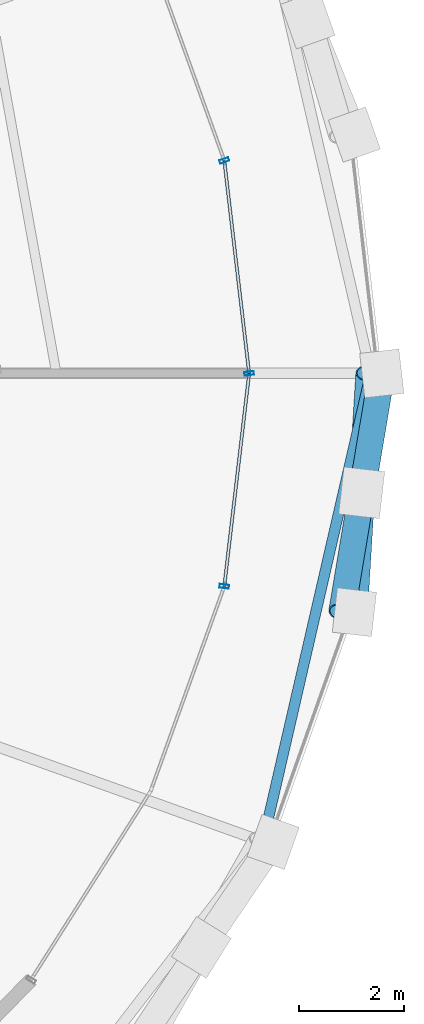
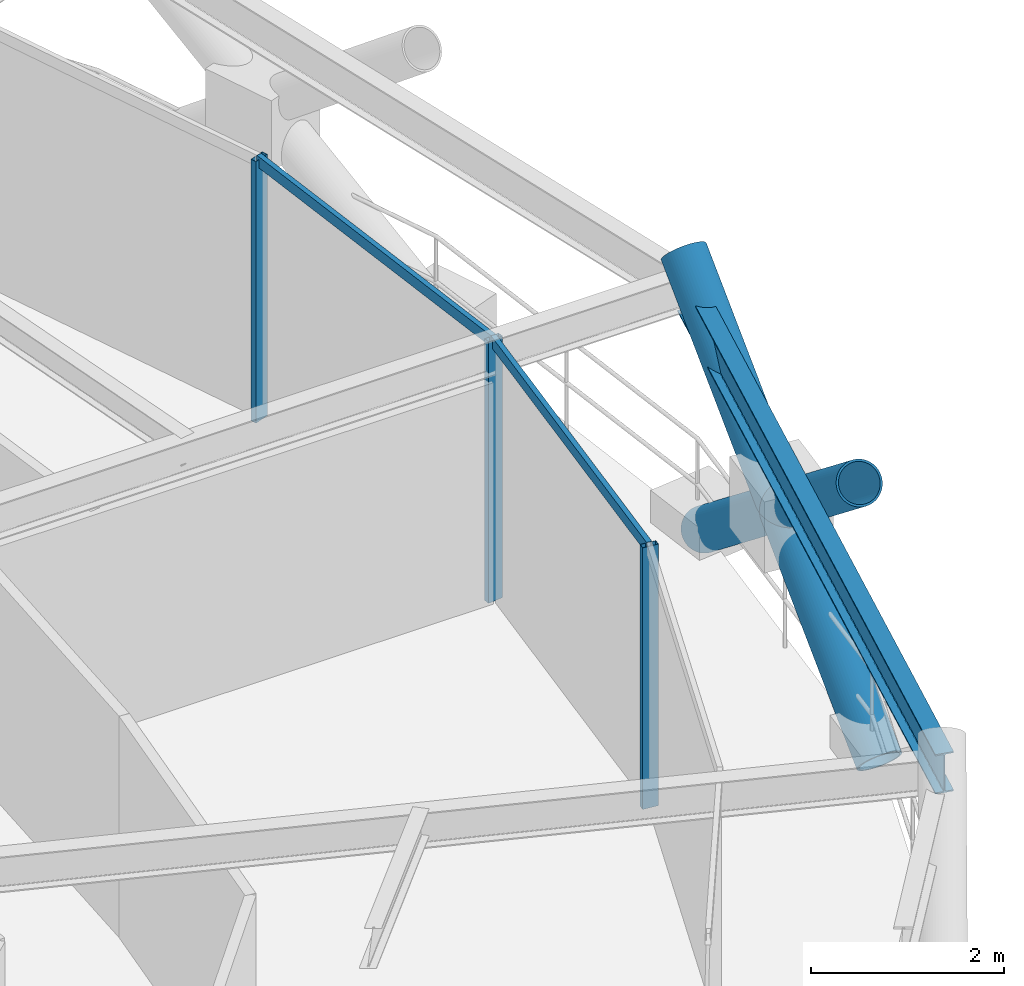
# One storey, part 8 of 16: 8 members, 1 beam, 1 element without a shape of its own.
"""IFC4 building model written with IfcOpenShell, lengths in metres."""

from ifc_helpers import new_model, si_unit, direction, frame, origin, origin_2d, place, context, subcontext, project, spatial, hollow_rectangle, hollow_circle, i_section, extrude, material, layer, layer_set, material_profile, profile_set, type_object, element, aggregate, save


model = new_model("IFC4")

# Units and contexts
model_context = context("Model", 3, precision=1e-05, world=origin(), true_north=direction((0.0, 1.0)))
body_context = subcontext(model_context, "Body", "Model", "MODEL_VIEW")
ifc_project = project(units=[si_unit("LENGTHUNIT", "METRE"), si_unit("AREAUNIT", "SQUARE_METRE"), si_unit("VOLUMEUNIT", "CUBIC_METRE"), si_unit("PLANEANGLEUNIT", "RADIAN"), si_unit("MASSUNIT", "GRAM", prefix="KILO")], contexts=[model_context])

# Site, building, storey
site_placement = place(None, origin())
site = spatial("IfcSite", under=ifc_project, at=site_placement, CompositionType="ELEMENT")
building_placement = place(site_placement, origin())
building = spatial("IfcBuilding", under=site, at=building_placement, Name="Veldorina Hangang Commons", CompositionType="ELEMENT")
storey_placement = place(building_placement, frame((0.0, 0.0, 189.199951171875)))
storey = spatial("IfcBuildingStorey", under=building, at=storey_placement, Name="L49", CompositionType="ELEMENT", Elevation=189.199951171875)

# Beam
ifc_material_1 = material(Name="Steel SM420-TMC", Category="steel")
ifc_material_profile_1 = material_profile(ifc_material_1, i_section(OverallWidth=0.199951171875, OverallDepth=0.5, WebThickness=0.010009765625, FlangeThickness=0.01611328125, FilletRadius=0.01611328125, at=origin_2d()), Name="H-500x200x10x16")
ifc_profile_set_1 = profile_set([ifc_material_profile_1], Name="Steel SM420-TMC")
beam_type = type_object("IfcBeamType", Name="BM-RB500", PredefinedType="BEAM", material=ifc_profile_set_1)
beam_placement = place(storey_placement, frame((56.8466796875, 15.10595703125, 3.10009765625), z_axis=(0.224302669526, 0.974519529021, 0.0), x_axis=(-0.974519529021, 0.224302669526, 0.0)))
element("IfcBeam", 1, at=beam_placement, inside=storey, type_object=beam_type, Name="L49 perimeter hoop ring beam 30", PredefinedType="BEAM", context=body_context, shape_type="SweptSolid", body=[
    extrude(i_section(OverallWidth=0.199951171875, OverallDepth=0.5, WebThickness=0.010009765625, FlangeThickness=0.01611328125, FilletRadius=0.01611328125, at=origin_2d()), origin(), (0.0, 0.0, 1.0), 9.126708984375),
])

# Curtain wall, members
ifc_material_2 = material(Name="Glass Low-E Triple IGU", Category="glass")
ifc_layer = layer(ifc_material_2, 0.179931640625)
ifc_layer_set = layer_set([ifc_layer], Name="Glass Low-E Triple IGU")
curtain_wall_type = type_object("IfcCurtainWallType", Name="CW-SYS-Z2", PredefinedType="NOTDEFINED", material=ifc_layer_set)
curtain_wall_placement = place(storey_placement, origin())
curtain_wall = element("IfcCurtainWall", 2, at=curtain_wall_placement, inside=storey, type_object=curtain_wall_type, Name="L49 unitised curtain wall CW-L49-R2", PredefinedType="NOTDEFINED")
ifc_material_3 = material(Name="Aluminium Anodized AA6063-T6", Category="aluminium")
ifc_material_profile_2 = material_profile(ifc_material_3, hollow_rectangle(XDim=0.070068359375, YDim=0.179931640625, WallThickness=0.00390625, at=origin_2d()), Name="ALU-RHS-180x70x4")
ifc_profile_set_2 = profile_set([ifc_material_profile_2], Name="Aluminium Anodized AA6063-T6")
member_type_1 = type_object("IfcMemberType", Name="CW-MUL-180", PredefinedType="MULLION", material=ifc_profile_set_2)
member_1_placement = place(storey_placement, frame((56.11181640625, 19.95556640625, 0.0), z_axis=(0.0, 0.0, 1.0), x_axis=(0.116012015769, 0.993247810064, 0.0)))
member_1 = element("IfcMember", 3, at=member_1_placement, type_object=member_type_1, Name="CW-L49-R2 vertical mullion 2", PredefinedType="MULLION", context=body_context, shape_type="SweptSolid", body=[
    extrude(hollow_rectangle(XDim=0.070068359375, YDim=0.179931640625, WallThickness=0.00390625, at=origin_2d()), origin(), (0.0, 0.0, 1.0), 3.31005859375),
])
member_2_placement = place(storey_placement, frame((56.583984375, 24.0, 0.0), z_axis=(0.0, 0.0, 1.0), x_axis=(-0.116012015769, 0.993247810064, 0.0)))
member_2 = element("IfcMember", 4, at=member_2_placement, type_object=member_type_1, Name="CW-L49-R2 vertical mullion 3", PredefinedType="MULLION", context=body_context, shape_type="SweptSolid", body=[
    extrude(hollow_rectangle(XDim=0.070068359375, YDim=0.179931640625, WallThickness=0.00390625, at=origin_2d()), origin(), (0.0, 0.0, 1.0), 3.31005859375),
])
member_3_placement = place(storey_placement, frame((56.11181640625, 28.04443359375, 0.0), z_axis=(0.0, 0.0, 1.0), x_axis=(-0.33849158663, 0.94096941809, 0.0)))
member_3 = element("IfcMember", 5, at=member_3_placement, type_object=member_type_1, Name="CW-L49-R2 vertical mullion 4", PredefinedType="MULLION", context=body_context, shape_type="SweptSolid", body=[
    extrude(hollow_rectangle(XDim=0.070068359375, YDim=0.179931640625, WallThickness=0.00390625, at=origin_2d()), origin(), (0.0, 0.0, 1.0), 3.31005859375),
])
ifc_material_profile_3 = material_profile(ifc_material_3, hollow_rectangle(XDim=0.06005859375, YDim=0.139892578125, WallThickness=0.00341796875, at=origin_2d()), Name="ALU-RHS-140x60x3.5")
ifc_profile_set_3 = profile_set([ifc_material_profile_3], Name="Aluminium Anodized AA6063-T6")
member_type_2 = type_object("IfcMemberType", Name="CW-TRN-140", PredefinedType="USERDEFINED", material=ifc_profile_set_3)
member_4_placement = place(storey_placement, frame((56.11181640625, 19.95556640625, 3.27001953125), z_axis=(0.115957597157, 0.993254164684, 0.0), x_axis=(-0.993254164684, 0.115957597157, 0.0)))
member_4 = element("IfcMember", 6, at=member_4_placement, type_object=member_type_2, Name="CW-L49-R2 facet 3 transom 1", ObjectType="TRANSOM", PredefinedType="USERDEFINED", context=body_context, shape_type="SweptSolid", body=[
    extrude(hollow_rectangle(XDim=0.06005859375, YDim=0.139892578125, WallThickness=0.00341796875, at=origin_2d()), origin(), (0.0, 0.0, 1.0), 4.072021484375),
])
member_5_placement = place(storey_placement, frame((56.583984375, 24.0, 3.27001953125), z_axis=(-0.115957597157, 0.993254164684, 0.0), x_axis=(-0.993254164684, -0.115957597157, 0.0)))
member_5 = element("IfcMember", 7, at=member_5_placement, type_object=member_type_2, Name="CW-L49-R2 facet 4 transom 1", ObjectType="TRANSOM", PredefinedType="USERDEFINED", context=body_context, shape_type="SweptSolid", body=[
    extrude(hollow_rectangle(XDim=0.06005859375, YDim=0.139892578125, WallThickness=0.00341796875, at=origin_2d()), origin(), (0.0, 0.0, 1.0), 4.072021484375),
])
aggregate(curtain_wall, [member_1, member_2, member_3, member_4, member_5])

# Members
ifc_material_profile_4 = material_profile(ifc_material_1, hollow_circle(Radius=0.25, WallThickness=0.02490234375, at=origin_2d()), Name="CHS-500x25")
ifc_profile_set_4 = profile_set([ifc_material_profile_4], Name="Steel SM420-TMC")
member_type_3 = type_object("IfcMemberType", Name="DG-CHS500", PredefinedType="BRACE", material=ifc_profile_set_4)
member_6_placement = place(storey_placement, frame((58.583251953125, 19.4638671875, 0.0), z_axis=(0.047752263075, 0.782395985835, 0.620947858295), x_axis=(-0.998142651382, 0.06092000897, 0.0)))
element("IfcMember", 8, at=member_6_placement, inside=storey, type_object=member_type_3, Name="L49 continuous perimeter diagrid brace 31", PredefinedType="BRACE", context=body_context, shape_type="SweptSolid", body=[
    extrude(hollow_circle(Radius=0.25, WallThickness=0.02490234375, at=origin_2d()), origin(), (0.0, 0.0, 1.0), 5.7978515625),
])
member_7_placement = place(storey_placement, frame((59.10400390625, 24.0, 0.0), z_axis=(-0.130913690878, -0.776370017357, 0.61653159018), x_axis=(0.986079342395, -0.166275465725, 0.0)))
element("IfcMember", 9, at=member_7_placement, inside=storey, type_object=member_type_3, Name="L49 split perimeter diagrid lower brace 00", PredefinedType="BRACE", context=body_context, shape_type="SweptSolid", body=[
    extrude(hollow_circle(Radius=0.25, WallThickness=0.02490234375, at=origin_2d()), origin(), (0.0, 0.0, 1.0), 2.92041015625),
])
member_8_placement = place(storey_placement, frame((58.7216796875, 21.732666015625, 1.800537109375), z_axis=(-0.129412376206, -0.776557911001, 0.616611910157), x_axis=(0.98639679553, -0.164381756187, 0.0)))
element("IfcMember", 10, at=member_8_placement, inside=storey, type_object=member_type_3, Name="L49 split perimeter diagrid upper brace 00", PredefinedType="BRACE", context=body_context, shape_type="SweptSolid", body=[
    extrude(hollow_circle(Radius=0.25, WallThickness=0.02490234375, at=origin_2d()), origin(), (0.0, 0.0, 1.0), 2.91845703125),
])

save(model, "model.ifc")
